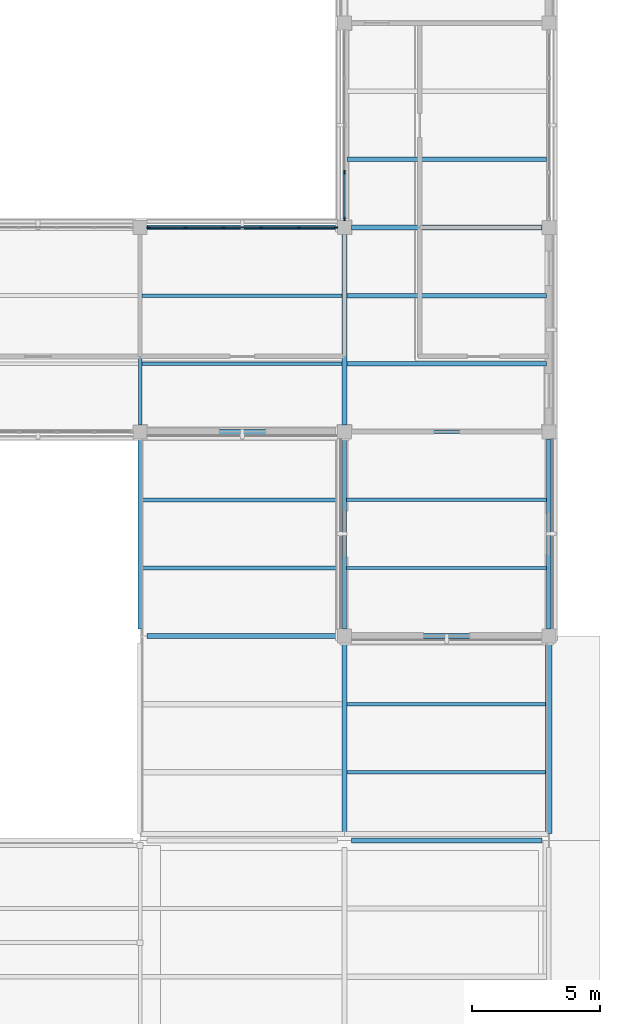
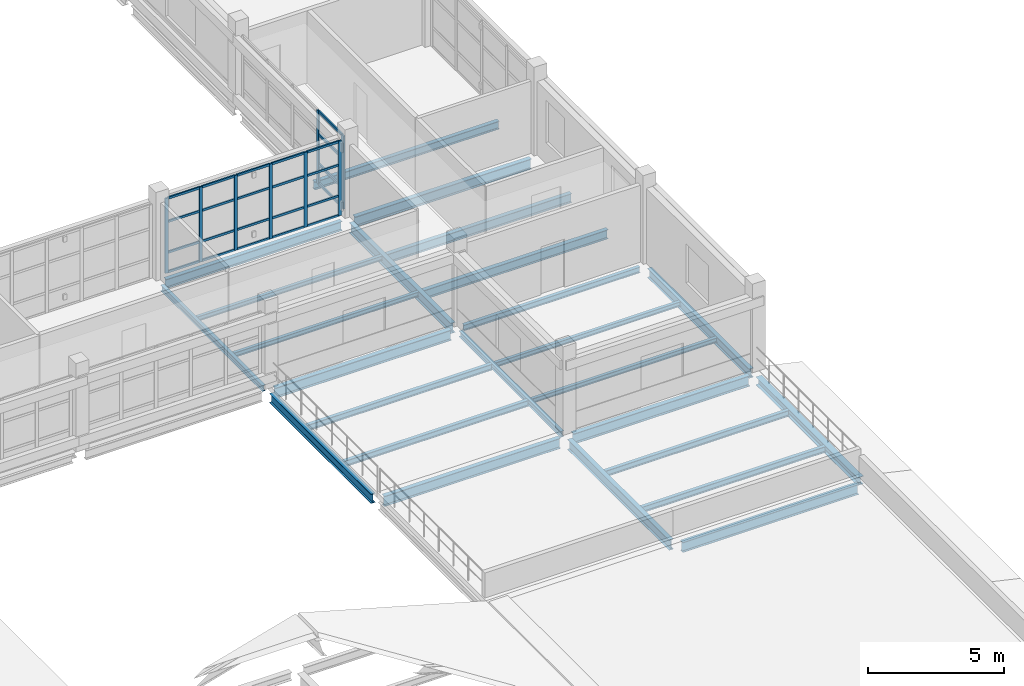
# One storey, part 40 of 92: 32 members, 25 beams, 2 elements without a shape of their own.
"""IFC4 building model written with IfcOpenShell, lengths in metres."""

from ifc_helpers import new_model, si_unit, derived_unit, direction, frame, origin, origin_2d, place, context, subcontext, project, spatial, rectangle, i_section, extrude, material, layer, layer_set, material_profile, profile_set, type_object, element, aggregate, save


model = new_model("IFC4")

# Units and contexts
model_context = context("Model", 3, precision=1e-05, world=origin(), true_north=direction((0.0, 1.0)))
body_context = subcontext(model_context, "Body", "Model", "MODEL_VIEW")
ifc_project = project(units=[si_unit("LENGTHUNIT", "METRE"), si_unit("AREAUNIT", "SQUARE_METRE"), si_unit("VOLUMEUNIT", "CUBIC_METRE"), si_unit("PLANEANGLEUNIT", "RADIAN"), si_unit("MASSUNIT", "GRAM", prefix="KILO"), derived_unit("THERMALTRANSMITTANCEUNIT", [(si_unit("MASSUNIT", "GRAM", prefix="KILO"), 1), (si_unit("TIMEUNIT", "SECOND"), -3), (si_unit("THERMODYNAMICTEMPERATUREUNIT", "KELVIN"), -1)])], contexts=[model_context])

# Site, building, storey
site_placement = place(None, origin())
site = spatial("IfcSite", under=ifc_project, at=site_placement, CompositionType="ELEMENT")
building_placement = place(site_placement, origin())
building = spatial("IfcBuilding", under=site, at=building_placement, Name="Veyamyaing Civic Hall", CompositionType="ELEMENT")
storey_placement = place(building_placement, frame((0.0, 0.0, 17.820068359375)))
storey = spatial("IfcBuildingStorey", under=building, at=storey_placement, Name="L04", CompositionType="ELEMENT", Elevation=17.820068359375)

# Beams
ifc_material_1 = material(Name="Steel ASTM A992", Category="steel")
ifc_material_profile_1 = material_profile(ifc_material_1, i_section(OverallWidth=0.19189453125, OverallDepth=0.462890625, WebThickness=0.010498046875, FlangeThickness=0.017578125, FilletRadius=0.010009765625, at=origin_2d()), Name="W460X89")
ifc_profile_set_1 = profile_set([ifc_material_profile_1], Name="Steel ASTM A992")
beam_type_1 = type_object("IfcBeamType", Name="B-08", PredefinedType="BEAM", material=ifc_profile_set_1)
for number, where, z_axis, x_axis, name in (
    (1, (168.27490234375, 56.0, -0.466552734375), (1.0, 0.0, 0.0), (0.0, 1.0, 0.0), "Girder B-08 L04 Grid H 22-23"),
    (2, (168.0, 48.27490234375, -0.466552734375), (0.0, 1.0, 0.0), (-1.0, 0.0, 0.0), "Girder B-08 L04 Grid 22 G-H"),
):
    element("IfcBeam", number, at=place(storey_placement, frame(where, z_axis=z_axis, x_axis=x_axis)), inside=storey, type_object=beam_type_1, Name=name, PredefinedType="BEAM", context=body_context, shape_type="SweptSolid", body=[
        extrude(i_section(OverallWidth=0.19189453125, OverallDepth=0.462890625, WebThickness=0.010498046875, FlangeThickness=0.017578125, FilletRadius=0.010009765625, at=origin_2d()), origin(), (0.0, 0.0, 1.0), 7.4501953125),
    ])
ifc_material_profile_2 = material_profile(ifc_material_1, i_section(OverallWidth=0.18994140625, OverallDepth=0.45703125, WebThickness=0.009033203125, FlangeThickness=0.014404296875, FilletRadius=0.010009765625, at=origin_2d()), Name="W460X74")
ifc_profile_set_2 = profile_set([ifc_material_profile_2], Name="Steel ASTM A992")
beam_type_2 = type_object("IfcBeamType", Name="B-09", PredefinedType="BEAM", material=ifc_profile_set_2)
for number, where, z_axis, x_axis, name in (
    (3, (168.27490234375, 32.0, -0.468505859375), (1.0, 0.0, 0.0), (0.0, 1.0, 0.0), "Girder B-09 L04 Grid E 22-23"),
    (4, (160.27490234375, 40.0, -0.45849609375), (1.0, 0.0, 0.0), (0.0, 1.0, 0.0), "Girder B-09 L04 Grid F 21-22"),
    (5, (168.0, 32.27490234375, -0.45849609375), (0.0, 1.0, 0.0), (-1.0, 0.0, 0.0), "Girder B-09 L04 Grid 22 E-F"),
):
    element("IfcBeam", number, at=place(storey_placement, frame(where, z_axis=z_axis, x_axis=x_axis)), inside=storey, type_object=beam_type_2, Name=name, PredefinedType="BEAM", context=body_context, shape_type="SweptSolid", body=[
        extrude(i_section(OverallWidth=0.18994140625, OverallDepth=0.45703125, WebThickness=0.009033203125, FlangeThickness=0.014404296875, FilletRadius=0.010009765625, at=origin_2d()), origin(), (0.0, 0.0, 1.0), 7.4501953125),
    ])
ifc_material_profile_3 = material_profile(ifc_material_1, i_section(OverallWidth=0.179931640625, OverallDepth=0.4130859375, WebThickness=0.009765625, FlangeThickness=0.01611328125, FilletRadius=0.010009765625, at=origin_2d()), Name="W410X74")
ifc_profile_set_3 = profile_set([ifc_material_profile_3], Name="Steel ASTM A992")
beam_type_3 = type_object("IfcBeamType", Name="B-10", PredefinedType="SPANDREL", material=ifc_profile_set_3)
for number, where, z_axis, x_axis, name in (
    (6, (160.27490234375, 56.0, -0.441650390625), (1.0, 0.0, 0.0), (0.0, 1.0, 0.0), "Girder B-10 L04 Grid H 21-22"),
    (7, (176.0, 40.27490234375, -0.441650390625), (0.0, 1.0, 0.0), (-1.0, 0.0, 0.0), "Girder B-10 L04 Grid 23 F-G"),
):
    element("IfcBeam", number, at=place(storey_placement, frame(where, z_axis=z_axis, x_axis=x_axis)), inside=storey, type_object=beam_type_3, Name=name, PredefinedType="SPANDREL", context=body_context, shape_type="SweptSolid", body=[
        extrude(i_section(OverallWidth=0.179931640625, OverallDepth=0.4130859375, WebThickness=0.009765625, FlangeThickness=0.01611328125, FilletRadius=0.010009765625, at=origin_2d()), origin(), (0.0, 0.0, 1.0), 7.4501953125),
    ])
ifc_material_profile_4 = material_profile(ifc_material_1, i_section(OverallWidth=0.14599609375, OverallDepth=0.258056640625, WebThickness=0.006103515625, FlangeThickness=0.009033203125, FilletRadius=0.010009765625, at=origin_2d()), Name="W250X33")
ifc_profile_set_4 = profile_set([ifc_material_profile_4], Name="Steel ASTM A992")
beam_type_4 = type_object("IfcBeamType", Name="B-12", PredefinedType="BEAM", material=ifc_profile_set_4)
for number, where, z_axis, x_axis, name in (
    (8, (168.27490234375, 48.0, -0.364013671875), (1.0, 0.0, 0.0), (0.0, 1.0, 0.0), "Girder B-12 L04 Grid G 22-23"),
    (9, (160.0, 48.27490234375, -0.364013671875), (0.0, 1.0, 0.0), (-1.0, 0.0, 0.0), "Girder B-12 L04 Grid 21 G-H"),
    (10, (168.0, 40.27490234375, -0.364013671875), (0.0, 1.0, 0.0), (-1.0, 0.0, 0.0), "Girder B-12 L04 Grid 22 F-G"),
):
    element("IfcBeam", number, at=place(storey_placement, frame(where, z_axis=z_axis, x_axis=x_axis)), inside=storey, type_object=beam_type_4, Name=name, PredefinedType="BEAM", context=body_context, shape_type="SweptSolid", body=[
        extrude(i_section(OverallWidth=0.14599609375, OverallDepth=0.258056640625, WebThickness=0.006103515625, FlangeThickness=0.009033203125, FilletRadius=0.010009765625, at=origin_2d()), origin(), (0.0, 0.0, 1.0), 7.4501953125),
    ])
ifc_material_profile_5 = material_profile(ifc_material_1, i_section(OverallWidth=0.194091796875, OverallDepth=0.468994140625, WebThickness=0.0126953125, FlangeThickness=0.0205078125, FilletRadius=0.010009765625, at=origin_2d()), Name="W460X106")
ifc_profile_set_5 = profile_set([ifc_material_profile_5], Name="Steel ASTM A992")
beam_type_5 = type_object("IfcBeamType", Name="B-18", PredefinedType="BEAM", material=ifc_profile_set_5)
for number, where, z_axis, x_axis, name in (
    (11, (168.27490234375, 40.0, -0.469482421875), (1.0, 0.0, 0.0), (0.0, 1.0, 0.0), "Girder B-18 L04 Grid F 22-23"),
    (12, (160.27490234375, 48.0, -0.469482421875), (1.0, 0.0, 0.0), (0.0, 1.0, 0.0), "Girder B-18 L04 Grid G 21-22"),
):
    element("IfcBeam", number, at=place(storey_placement, frame(where, z_axis=z_axis, x_axis=x_axis)), inside=storey, type_object=beam_type_5, Name=name, PredefinedType="BEAM", context=body_context, shape_type="SweptSolid", body=[
        extrude(i_section(OverallWidth=0.194091796875, OverallDepth=0.468994140625, WebThickness=0.0126953125, FlangeThickness=0.0205078125, FilletRadius=0.010009765625, at=origin_2d()), origin(), (0.0, 0.0, 1.0), 7.4501953125),
    ])
ifc_material_profile_6 = material_profile(ifc_material_1, i_section(OverallWidth=0.180908203125, OverallDepth=0.4169921875, WebThickness=0.010986328125, FlangeThickness=0.018310546875, FilletRadius=0.010009765625, at=origin_2d()), Name="W410X85")
ifc_profile_set_6 = profile_set([ifc_material_profile_6], Name="Steel ASTM A992")
beam_type_6 = type_object("IfcBeamType", Name="B-19", PredefinedType="SPANDREL", material=ifc_profile_set_6)
beam_1_placement = place(storey_placement, frame((160.0, 40.27490234375, -0.4384765625), z_axis=(0.0, 1.0, 0.0), x_axis=(-1.0, 0.0, 0.0)))
element("IfcBeam", 13, at=beam_1_placement, inside=storey, type_object=beam_type_6, Name="Girder B-19 L04 Grid 21 F-G", PredefinedType="SPANDREL", context=body_context, shape_type="SweptSolid", body=[
    extrude(i_section(OverallWidth=0.180908203125, OverallDepth=0.4169921875, WebThickness=0.010986328125, FlangeThickness=0.018310546875, FilletRadius=0.010009765625, at=origin_2d()), origin(), (0.0, 0.0, 1.0), 7.4501953125),
])
ifc_material_profile_7 = material_profile(ifc_material_1, i_section(OverallWidth=0.25390625, OverallDepth=0.35302734375, WebThickness=0.009521484375, FlangeThickness=0.016357421875, FilletRadius=0.011962890625, at=origin_2d()), Name="W360X91")
ifc_profile_set_7 = profile_set([ifc_material_profile_7], Name="Steel ASTM A992")
beam_type_7 = type_object("IfcBeamType", Name="B-20", PredefinedType="SPANDREL", material=ifc_profile_set_7)
beam_2_placement = place(storey_placement, frame((176.0, 32.27490234375, -0.406494140625), z_axis=(0.0, 1.0, 0.0), x_axis=(-1.0, 0.0, 0.0)))
element("IfcBeam", 14, at=beam_2_placement, inside=storey, type_object=beam_type_7, Name="Girder B-20 L04 Grid 23 E-F", PredefinedType="SPANDREL", context=body_context, shape_type="SweptSolid", body=[
    extrude(i_section(OverallWidth=0.25390625, OverallDepth=0.35302734375, WebThickness=0.009521484375, FlangeThickness=0.016357421875, FilletRadius=0.011962890625, at=origin_2d()), origin(), (0.0, 0.0, 1.0), 7.4501953125),
])

# Curtain wall, members
ifc_material_2 = material(Name="Anodised aluminium 6063-T6", Category="aluminium")
ifc_layer_1 = layer(ifc_material_2, 0.159912109375, Name="Anodised aluminium 6063-T6")
ifc_layer_set_1 = layer_set([ifc_layer_1], Name="Anodised aluminium 6063-T6")
curtain_wall_type_1 = type_object("IfcCurtainWallType", Name="CW-08", PredefinedType="NOTDEFINED", material=ifc_layer_set_1)
curtain_wall_1_placement = place(storey_placement, origin())
curtain_wall_1 = element("IfcCurtainWall", 15, at=curtain_wall_1_placement, inside=storey, type_object=curtain_wall_type_1, Name="Unitized curtain wall CW-08 L04 W 22.8", PredefinedType="NOTDEFINED")
ifc_material_profile_8 = material_profile(ifc_material_2, rectangle(XDim=0.06494140625, YDim=0.159912109375, at=origin_2d()), Name="ALU-MUL-65X160")
ifc_profile_set_8 = profile_set([ifc_material_profile_8], Name="Anodised aluminium 6063-T6")
member_type_1 = type_object("IfcMemberType", Name="CWM-01", PredefinedType="MULLION", material=ifc_profile_set_8)
member_1_placement = place(storey_placement, frame((168.0, 56.33740234375, 0.0), z_axis=(0.0, 0.0, 1.0), x_axis=(-1.0, 0.0, 0.0)))
member_1 = element("IfcMember", 16, at=member_1_placement, type_object=member_type_1, Name="CW-08 mullion 1", PredefinedType="MULLION", context=body_context, shape_type="SweptSolid", body=[
    extrude(rectangle(XDim=0.06494140625, YDim=0.159912109375, at=origin_2d()), origin(), (0.0, 0.0, 1.0), 3.284912109375),
])
member_2_placement = place(storey_placement, frame((168.0, 58.152587890625, 0.0), z_axis=(0.0, 0.0, 1.0), x_axis=(-1.0, 0.0, 0.0)))
member_2 = element("IfcMember", 17, at=member_2_placement, type_object=member_type_1, Name="CW-08 mullion 2", PredefinedType="MULLION", context=body_context, shape_type="SweptSolid", body=[
    extrude(rectangle(XDim=0.06494140625, YDim=0.159912109375, at=origin_2d()), origin(), (0.0, 0.0, 1.0), 3.284912109375),
])

ifc_layer_2 = layer(ifc_material_2, 0.139892578125, Name="Anodised aluminium 6063-T6")
ifc_layer_set_2 = layer_set([ifc_layer_2], Name="Anodised aluminium 6063-T6")
curtain_wall_type_2 = type_object("IfcCurtainWallType", Name="CW-04", PredefinedType="NOTDEFINED", material=ifc_layer_set_2)
curtain_wall_2_placement = place(storey_placement, origin())
curtain_wall_2 = element("IfcCurtainWall", 18, at=curtain_wall_2_placement, inside=storey, type_object=curtain_wall_type_2, Name="Unitized curtain wall CW-04 L04 N 21.7", PredefinedType="NOTDEFINED")
ifc_material_profile_9 = material_profile(ifc_material_2, rectangle(XDim=0.06005859375, YDim=0.139892578125, at=origin_2d()), Name="ALU-MUL-60X140")
ifc_profile_set_9 = profile_set([ifc_material_profile_9], Name="Anodised aluminium 6063-T6")
member_type_2 = type_object("IfcMemberType", Name="CWM-03", PredefinedType="MULLION", material=ifc_profile_set_9)
member_3_placement = place(storey_placement, frame((160.3349609375, 56.0, 0.0), z_axis=(0.0, 0.0, 1.0), x_axis=(0.0, 1.0, 0.0)))
member_3 = element("IfcMember", 19, at=member_3_placement, type_object=member_type_2, Name="CW-04 mullion 1", PredefinedType="MULLION", context=body_context, shape_type="SweptSolid", body=[
    extrude(rectangle(XDim=0.06005859375, YDim=0.139892578125, at=origin_2d()), origin(), (0.0, 0.0, 1.0), 3.35205078125),
])
member_4_placement = place(storey_placement, frame((161.782958984375, 56.0, 0.0), z_axis=(0.0, 0.0, 1.0), x_axis=(0.0, 1.0, 0.0)))
member_4 = element("IfcMember", 20, at=member_4_placement, type_object=member_type_2, Name="CW-04 mullion 2", PredefinedType="MULLION", context=body_context, shape_type="SweptSolid", body=[
    extrude(rectangle(XDim=0.06005859375, YDim=0.139892578125, at=origin_2d()), origin(), (0.0, 0.0, 1.0), 3.35205078125),
])
member_5_placement = place(storey_placement, frame((163.260986328125, 56.0, 0.0), z_axis=(0.0, 0.0, 1.0), x_axis=(0.0, 1.0, 0.0)))
member_5 = element("IfcMember", 21, at=member_5_placement, type_object=member_type_2, Name="CW-04 mullion 3", PredefinedType="MULLION", context=body_context, shape_type="SweptSolid", body=[
    extrude(rectangle(XDim=0.06005859375, YDim=0.139892578125, at=origin_2d()), origin(), (0.0, 0.0, 1.0), 3.35205078125),
])
member_6_placement = place(storey_placement, frame((164.739013671875, 56.0, 0.0), z_axis=(0.0, 0.0, 1.0), x_axis=(0.0, 1.0, 0.0)))
member_6 = element("IfcMember", 22, at=member_6_placement, type_object=member_type_2, Name="CW-04 mullion 4", PredefinedType="MULLION", context=body_context, shape_type="SweptSolid", body=[
    extrude(rectangle(XDim=0.06005859375, YDim=0.139892578125, at=origin_2d()), origin(), (0.0, 0.0, 1.0), 3.35205078125),
])
member_7_placement = place(storey_placement, frame((166.217041015625, 56.0, 0.0), z_axis=(0.0, 0.0, 1.0), x_axis=(0.0, 1.0, 0.0)))
member_7 = element("IfcMember", 23, at=member_7_placement, type_object=member_type_2, Name="CW-04 mullion 5", PredefinedType="MULLION", context=body_context, shape_type="SweptSolid", body=[
    extrude(rectangle(XDim=0.06005859375, YDim=0.139892578125, at=origin_2d()), origin(), (0.0, 0.0, 1.0), 3.35205078125),
])
member_8_placement = place(storey_placement, frame((167.6650390625, 56.0, 0.0), z_axis=(0.0, 0.0, 1.0), x_axis=(0.0, 1.0, 0.0)))
member_8 = element("IfcMember", 24, at=member_8_placement, type_object=member_type_2, Name="CW-04 mullion 6", PredefinedType="MULLION", context=body_context, shape_type="SweptSolid", body=[
    extrude(rectangle(XDim=0.06005859375, YDim=0.139892578125, at=origin_2d()), origin(), (0.0, 0.0, 1.0), 3.35205078125),
])

# Member
ifc_material_profile_10 = material_profile(ifc_material_2, rectangle(XDim=0.06494140625, YDim=0.1201171875, at=origin_2d()), Name="ALU-TRN-65X120")
ifc_profile_set_10 = profile_set([ifc_material_profile_10], Name="Anodised aluminium 6063-T6")
member_type_3 = type_object("IfcMemberType", Name="CWT-01", PredefinedType="USERDEFINED", material=ifc_profile_set_10)
member_9_placement = place(storey_placement, frame((168.0, 56.3701171875, 0.032470703125), z_axis=(0.0, 1.0, 0.0), x_axis=(-1.0, 0.0, 0.0)))
member_9 = element("IfcMember", 25, at=member_9_placement, type_object=member_type_3, Name="CW-08 transom 1.1", ObjectType="TRANSOM", PredefinedType="USERDEFINED", context=body_context, shape_type="SweptSolid", body=[
    extrude(rectangle(XDim=0.06494140625, YDim=0.1201171875, at=origin_2d()), origin(), (0.0, 0.0, 1.0), 1.75),
])

member_10_placement = place(storey_placement, frame((168.0, 56.3701171875, 0.89990234375), z_axis=(0.0, 1.0, 0.0), x_axis=(-1.0, 0.0, 0.0)))
member_10 = element("IfcMember", 26, at=member_10_placement, type_object=member_type_3, Name="CW-08 transom 1.2", ObjectType="TRANSOM", PredefinedType="USERDEFINED", context=body_context, shape_type="SweptSolid", body=[
    extrude(rectangle(XDim=0.06494140625, YDim=0.1201171875, at=origin_2d()), origin(), (0.0, 0.0, 1.0), 1.75),
])

member_11_placement = place(storey_placement, frame((168.0, 56.3701171875, 2.233642578125), z_axis=(0.0, 1.0, 0.0), x_axis=(-1.0, 0.0, 0.0)))
member_11 = element("IfcMember", 27, at=member_11_placement, type_object=member_type_3, Name="CW-08 transom 1.3", ObjectType="TRANSOM", PredefinedType="USERDEFINED", context=body_context, shape_type="SweptSolid", body=[
    extrude(rectangle(XDim=0.06494140625, YDim=0.1201171875, at=origin_2d()), origin(), (0.0, 0.0, 1.0), 1.75),
])

member_12_placement = place(storey_placement, frame((168.0, 56.3701171875, 3.25244140625), z_axis=(0.0, 1.0, 0.0), x_axis=(-1.0, 0.0, 0.0)))
member_12 = element("IfcMember", 28, at=member_12_placement, type_object=member_type_3, Name="CW-08 transom 1.4", ObjectType="TRANSOM", PredefinedType="USERDEFINED", context=body_context, shape_type="SweptSolid", body=[
    extrude(rectangle(XDim=0.06494140625, YDim=0.1201171875, at=origin_2d()), origin(), (0.0, 0.0, 1.0), 1.75),
])

aggregate(curtain_wall_1, [member_1, member_2, member_9, member_10, member_11, member_12])

ifc_material_profile_11 = material_profile(ifc_material_2, rectangle(XDim=0.06005859375, YDim=0.10009765625, at=origin_2d()), Name="ALU-TRN-60X100")
ifc_profile_set_11 = profile_set([ifc_material_profile_11], Name="Anodised aluminium 6063-T6")
member_type_4 = type_object("IfcMemberType", Name="CWT-03", PredefinedType="USERDEFINED", material=ifc_profile_set_11)
member_13_placement = place(storey_placement, frame((160.364990234375, 56.0, 0.030029296875), z_axis=(1.0, 0.0, 0.0), x_axis=(0.0, 1.0, 0.0)))
member_13 = element("IfcMember", 29, at=member_13_placement, type_object=member_type_4, Name="CW-04 transom 1.1", ObjectType="TRANSOM", PredefinedType="USERDEFINED", context=body_context, shape_type="SweptSolid", body=[
    extrude(rectangle(XDim=0.06005859375, YDim=0.10009765625, at=origin_2d()), origin(), (0.0, 0.0, 1.0), 1.387939453125),
])

member_14_placement = place(storey_placement, frame((160.364990234375, 56.0, 0.89990234375), z_axis=(1.0, 0.0, 0.0), x_axis=(0.0, 1.0, 0.0)))
member_14 = element("IfcMember", 30, at=member_14_placement, type_object=member_type_4, Name="CW-04 transom 1.2", ObjectType="TRANSOM", PredefinedType="USERDEFINED", context=body_context, shape_type="SweptSolid", body=[
    extrude(rectangle(XDim=0.06005859375, YDim=0.10009765625, at=origin_2d()), origin(), (0.0, 0.0, 1.0), 1.387939453125),
])

member_15_placement = place(storey_placement, frame((160.364990234375, 56.0, 2.279296875), z_axis=(1.0, 0.0, 0.0), x_axis=(0.0, 1.0, 0.0)))
member_15 = element("IfcMember", 31, at=member_15_placement, type_object=member_type_4, Name="CW-04 transom 1.3", ObjectType="TRANSOM", PredefinedType="USERDEFINED", context=body_context, shape_type="SweptSolid", body=[
    extrude(rectangle(XDim=0.06005859375, YDim=0.10009765625, at=origin_2d()), origin(), (0.0, 0.0, 1.0), 1.387939453125),
])

member_16_placement = place(storey_placement, frame((160.364990234375, 56.0, 3.322021484375), z_axis=(1.0, 0.0, 0.0), x_axis=(0.0, 1.0, 0.0)))
member_16 = element("IfcMember", 32, at=member_16_placement, type_object=member_type_4, Name="CW-04 transom 1.4", ObjectType="TRANSOM", PredefinedType="USERDEFINED", context=body_context, shape_type="SweptSolid", body=[
    extrude(rectangle(XDim=0.06005859375, YDim=0.10009765625, at=origin_2d()), origin(), (0.0, 0.0, 1.0), 1.387939453125),
])

member_17_placement = place(storey_placement, frame((161.81298828125, 56.0, 0.030029296875), z_axis=(1.0, 0.0, 0.0), x_axis=(0.0, 1.0, 0.0)))
member_17 = element("IfcMember", 33, at=member_17_placement, type_object=member_type_4, Name="CW-04 transom 2.1", ObjectType="TRANSOM", PredefinedType="USERDEFINED", context=body_context, shape_type="SweptSolid", body=[
    extrude(rectangle(XDim=0.06005859375, YDim=0.10009765625, at=origin_2d()), origin(), (0.0, 0.0, 1.0), 1.41796875),
])

member_18_placement = place(storey_placement, frame((161.81298828125, 56.0, 0.89990234375), z_axis=(1.0, 0.0, 0.0), x_axis=(0.0, 1.0, 0.0)))
member_18 = element("IfcMember", 34, at=member_18_placement, type_object=member_type_4, Name="CW-04 transom 2.2", ObjectType="TRANSOM", PredefinedType="USERDEFINED", context=body_context, shape_type="SweptSolid", body=[
    extrude(rectangle(XDim=0.06005859375, YDim=0.10009765625, at=origin_2d()), origin(), (0.0, 0.0, 1.0), 1.41796875),
])

member_19_placement = place(storey_placement, frame((161.81298828125, 56.0, 2.279296875), z_axis=(1.0, 0.0, 0.0), x_axis=(0.0, 1.0, 0.0)))
member_19 = element("IfcMember", 35, at=member_19_placement, type_object=member_type_4, Name="CW-04 transom 2.3", ObjectType="TRANSOM", PredefinedType="USERDEFINED", context=body_context, shape_type="SweptSolid", body=[
    extrude(rectangle(XDim=0.06005859375, YDim=0.10009765625, at=origin_2d()), origin(), (0.0, 0.0, 1.0), 1.41796875),
])

member_20_placement = place(storey_placement, frame((161.81298828125, 56.0, 3.322021484375), z_axis=(1.0, 0.0, 0.0), x_axis=(0.0, 1.0, 0.0)))
member_20 = element("IfcMember", 36, at=member_20_placement, type_object=member_type_4, Name="CW-04 transom 2.4", ObjectType="TRANSOM", PredefinedType="USERDEFINED", context=body_context, shape_type="SweptSolid", body=[
    extrude(rectangle(XDim=0.06005859375, YDim=0.10009765625, at=origin_2d()), origin(), (0.0, 0.0, 1.0), 1.41796875),
])

member_21_placement = place(storey_placement, frame((163.291015625, 56.0, 0.030029296875), z_axis=(1.0, 0.0, 0.0), x_axis=(0.0, 1.0, 0.0)))
member_21 = element("IfcMember", 37, at=member_21_placement, type_object=member_type_4, Name="CW-04 transom 3.1", ObjectType="TRANSOM", PredefinedType="USERDEFINED", context=body_context, shape_type="SweptSolid", body=[
    extrude(rectangle(XDim=0.06005859375, YDim=0.10009765625, at=origin_2d()), origin(), (0.0, 0.0, 1.0), 1.41796875),
])

member_22_placement = place(storey_placement, frame((163.291015625, 56.0, 0.89990234375), z_axis=(1.0, 0.0, 0.0), x_axis=(0.0, 1.0, 0.0)))
member_22 = element("IfcMember", 38, at=member_22_placement, type_object=member_type_4, Name="CW-04 transom 3.2", ObjectType="TRANSOM", PredefinedType="USERDEFINED", context=body_context, shape_type="SweptSolid", body=[
    extrude(rectangle(XDim=0.06005859375, YDim=0.10009765625, at=origin_2d()), origin(), (0.0, 0.0, 1.0), 1.41796875),
])

member_23_placement = place(storey_placement, frame((163.291015625, 56.0, 2.279296875), z_axis=(1.0, 0.0, 0.0), x_axis=(0.0, 1.0, 0.0)))
member_23 = element("IfcMember", 39, at=member_23_placement, type_object=member_type_4, Name="CW-04 transom 3.3", ObjectType="TRANSOM", PredefinedType="USERDEFINED", context=body_context, shape_type="SweptSolid", body=[
    extrude(rectangle(XDim=0.06005859375, YDim=0.10009765625, at=origin_2d()), origin(), (0.0, 0.0, 1.0), 1.41796875),
])

member_24_placement = place(storey_placement, frame((163.291015625, 56.0, 3.322021484375), z_axis=(1.0, 0.0, 0.0), x_axis=(0.0, 1.0, 0.0)))
member_24 = element("IfcMember", 40, at=member_24_placement, type_object=member_type_4, Name="CW-04 transom 3.4", ObjectType="TRANSOM", PredefinedType="USERDEFINED", context=body_context, shape_type="SweptSolid", body=[
    extrude(rectangle(XDim=0.06005859375, YDim=0.10009765625, at=origin_2d()), origin(), (0.0, 0.0, 1.0), 1.41796875),
])

member_25_placement = place(storey_placement, frame((164.76904296875, 56.0, 0.030029296875), z_axis=(1.0, 0.0, 0.0), x_axis=(0.0, 1.0, 0.0)))
member_25 = element("IfcMember", 41, at=member_25_placement, type_object=member_type_4, Name="CW-04 transom 4.1", ObjectType="TRANSOM", PredefinedType="USERDEFINED", context=body_context, shape_type="SweptSolid", body=[
    extrude(rectangle(XDim=0.06005859375, YDim=0.10009765625, at=origin_2d()), origin(), (0.0, 0.0, 1.0), 1.41796875),
])

member_26_placement = place(storey_placement, frame((164.76904296875, 56.0, 0.89990234375), z_axis=(1.0, 0.0, 0.0), x_axis=(0.0, 1.0, 0.0)))
member_26 = element("IfcMember", 42, at=member_26_placement, type_object=member_type_4, Name="CW-04 transom 4.2", ObjectType="TRANSOM", PredefinedType="USERDEFINED", context=body_context, shape_type="SweptSolid", body=[
    extrude(rectangle(XDim=0.06005859375, YDim=0.10009765625, at=origin_2d()), origin(), (0.0, 0.0, 1.0), 1.41796875),
])

member_27_placement = place(storey_placement, frame((164.76904296875, 56.0, 2.279296875), z_axis=(1.0, 0.0, 0.0), x_axis=(0.0, 1.0, 0.0)))
member_27 = element("IfcMember", 43, at=member_27_placement, type_object=member_type_4, Name="CW-04 transom 4.3", ObjectType="TRANSOM", PredefinedType="USERDEFINED", context=body_context, shape_type="SweptSolid", body=[
    extrude(rectangle(XDim=0.06005859375, YDim=0.10009765625, at=origin_2d()), origin(), (0.0, 0.0, 1.0), 1.41796875),
])

member_28_placement = place(storey_placement, frame((164.76904296875, 56.0, 3.322021484375), z_axis=(1.0, 0.0, 0.0), x_axis=(0.0, 1.0, 0.0)))
member_28 = element("IfcMember", 44, at=member_28_placement, type_object=member_type_4, Name="CW-04 transom 4.4", ObjectType="TRANSOM", PredefinedType="USERDEFINED", context=body_context, shape_type="SweptSolid", body=[
    extrude(rectangle(XDim=0.06005859375, YDim=0.10009765625, at=origin_2d()), origin(), (0.0, 0.0, 1.0), 1.41796875),
])

member_29_placement = place(storey_placement, frame((166.2470703125, 56.0, 0.030029296875), z_axis=(1.0, 0.0, 0.0), x_axis=(0.0, 1.0, 0.0)))
member_29 = element("IfcMember", 45, at=member_29_placement, type_object=member_type_4, Name="CW-04 transom 5.1", ObjectType="TRANSOM", PredefinedType="USERDEFINED", context=body_context, shape_type="SweptSolid", body=[
    extrude(rectangle(XDim=0.06005859375, YDim=0.10009765625, at=origin_2d()), origin(), (0.0, 0.0, 1.0), 1.387939453125),
])

member_30_placement = place(storey_placement, frame((166.2470703125, 56.0, 0.89990234375), z_axis=(1.0, 0.0, 0.0), x_axis=(0.0, 1.0, 0.0)))
member_30 = element("IfcMember", 46, at=member_30_placement, type_object=member_type_4, Name="CW-04 transom 5.2", ObjectType="TRANSOM", PredefinedType="USERDEFINED", context=body_context, shape_type="SweptSolid", body=[
    extrude(rectangle(XDim=0.06005859375, YDim=0.10009765625, at=origin_2d()), origin(), (0.0, 0.0, 1.0), 1.387939453125),
])

member_31_placement = place(storey_placement, frame((166.2470703125, 56.0, 2.279296875), z_axis=(1.0, 0.0, 0.0), x_axis=(0.0, 1.0, 0.0)))
member_31 = element("IfcMember", 47, at=member_31_placement, type_object=member_type_4, Name="CW-04 transom 5.3", ObjectType="TRANSOM", PredefinedType="USERDEFINED", context=body_context, shape_type="SweptSolid", body=[
    extrude(rectangle(XDim=0.06005859375, YDim=0.10009765625, at=origin_2d()), origin(), (0.0, 0.0, 1.0), 1.387939453125),
])

member_32_placement = place(storey_placement, frame((166.2470703125, 56.0, 3.322021484375), z_axis=(1.0, 0.0, 0.0), x_axis=(0.0, 1.0, 0.0)))
member_32 = element("IfcMember", 48, at=member_32_placement, type_object=member_type_4, Name="CW-04 transom 5.4", ObjectType="TRANSOM", PredefinedType="USERDEFINED", context=body_context, shape_type="SweptSolid", body=[
    extrude(rectangle(XDim=0.06005859375, YDim=0.10009765625, at=origin_2d()), origin(), (0.0, 0.0, 1.0), 1.387939453125),
])

aggregate(curtain_wall_2, [member_3, member_4, member_5, member_6, member_7, member_8, member_13, member_14, member_15, member_16, member_17, member_18, member_19, member_20, member_21, member_22, member_23, member_24, member_25, member_26, member_27, member_28, member_29, member_30, member_31, member_32])

# Beams
ifc_material_profile_12 = material_profile(ifc_material_1, i_section(OverallWidth=0.177978515625, OverallDepth=0.406982421875, WebThickness=0.0078125, FlangeThickness=0.0126953125, FilletRadius=0.010009765625, at=origin_2d()), Name="W410X60")
ifc_profile_set_12 = profile_set([ifc_material_profile_12], Name="Steel ASTM A992")
beam_type_8 = type_object("IfcBeamType", Name="J-01", PredefinedType="JOIST", material=ifc_profile_set_12)
for number, where, z_axis, x_axis, name in (
    (49, (168.093994140625, 50.666748046875, -0.4384765625), (1.0, 0.0, 0.0), (0.0, 1.0, 0.0), "Composite floor joist J-01 L04 22.7.1"),
    (50, (168.093994140625, 53.333251953125, -0.4384765625), (1.0, 0.0, 0.0), (0.0, 1.0, 0.0), "Composite floor joist J-01 L04 22.7.2"),
):
    element("IfcBeam", number, at=place(storey_placement, frame(where, z_axis=z_axis, x_axis=x_axis)), inside=storey, type_object=beam_type_8, Name=name, PredefinedType="JOIST", context=body_context, shape_type="SweptSolid", body=[
        extrude(i_section(OverallWidth=0.177978515625, OverallDepth=0.406982421875, WebThickness=0.0078125, FlangeThickness=0.0126953125, FilletRadius=0.010009765625, at=origin_2d()), origin(), (0.0, 0.0, 1.0), 7.805908203125),
    ])
ifc_material_profile_13 = material_profile(ifc_material_1, i_section(OverallWidth=0.172119140625, OverallDepth=0.35791015625, WebThickness=0.0078125, FlangeThickness=0.01318359375, FilletRadius=0.010009765625, at=origin_2d()), Name="W360X57")
ifc_profile_set_13 = profile_set([ifc_material_profile_13], Name="Steel ASTM A992")
beam_type_9 = type_object("IfcBeamType", Name="J-02", PredefinedType="JOIST", material=ifc_profile_set_13)
beam_3_placement = place(storey_placement, frame((168.10009765625, 58.666748046875, -0.4140625), z_axis=(1.0, 0.0, 0.0), x_axis=(0.0, 1.0, 0.0)))
element("IfcBeam", 51, at=beam_3_placement, inside=storey, type_object=beam_type_9, Name="Composite floor joist J-02 L04 22.8.1", PredefinedType="JOIST", context=body_context, shape_type="SweptSolid", body=[
    extrude(i_section(OverallWidth=0.172119140625, OverallDepth=0.35791015625, WebThickness=0.0078125, FlangeThickness=0.01318359375, FilletRadius=0.010009765625, at=origin_2d()), origin(), (0.0, 0.0, 1.0), 7.8115234375),
])
ifc_material_profile_14 = material_profile(ifc_material_1, i_section(OverallWidth=0.14794921875, OverallDepth=0.26611328125, WebThickness=0.007568359375, FlangeThickness=0.012939453125, FilletRadius=0.010009765625, at=origin_2d()), Name="W250X45")
ifc_profile_set_14 = profile_set([ifc_material_profile_14], Name="Steel ASTM A992")
beam_type_10 = type_object("IfcBeamType", Name="J-07", PredefinedType="JOIST", material=ifc_profile_set_14)
for number, where, z_axis, x_axis, name in (
    (52, (160.08837890625, 42.666748046875, -0.3681640625), (1.0, 0.0, 0.0), (0.0, 1.0, 0.0), "Composite floor joist J-07 L04 21.6.1"),
    (53, (160.08837890625, 45.333251953125, -0.3681640625), (1.0, 0.0, 0.0), (0.0, 1.0, 0.0), "Composite floor joist J-07 L04 21.6.2"),
):
    element("IfcBeam", number, at=place(storey_placement, frame(where, z_axis=z_axis, x_axis=x_axis)), inside=storey, type_object=beam_type_10, Name=name, PredefinedType="JOIST", context=body_context, shape_type="SweptSolid", body=[
        extrude(i_section(OverallWidth=0.14794921875, OverallDepth=0.26611328125, WebThickness=0.007568359375, FlangeThickness=0.012939453125, FilletRadius=0.010009765625, at=origin_2d()), origin(), (0.0, 0.0, 1.0), 7.840576171875),
    ])
for number, where, z_axis, x_axis, name in (
    (54, (168.093017578125, 34.666748046875, -0.363037109375), (1.0, 0.0, 0.0), (0.0, 1.0, 0.0), "Composite floor joist J-07 L04 22.5.1"),
    (55, (168.093017578125, 37.333251953125, -0.363037109375), (1.0, 0.0, 0.0), (0.0, 1.0, 0.0), "Composite floor joist J-07 L04 22.5.2"),
):
    element("IfcBeam", number, at=place(storey_placement, frame(where, z_axis=z_axis, x_axis=x_axis)), inside=storey, type_object=beam_type_10, Name=name, PredefinedType="JOIST", context=body_context, shape_type="SweptSolid", body=[
        extrude(i_section(OverallWidth=0.14794921875, OverallDepth=0.26611328125, WebThickness=0.007568359375, FlangeThickness=0.012939453125, FilletRadius=0.010009765625, at=origin_2d()), origin(), (0.0, 0.0, 1.0), 7.781982421875),
    ])
ifc_material_profile_15 = material_profile(ifc_material_1, i_section(OverallWidth=0.133056640625, OverallDepth=0.20703125, WebThickness=0.005859375, FlangeThickness=0.00830078125, FilletRadius=0.010009765625, at=origin_2d()), Name="W200X27")
ifc_profile_set_15 = profile_set([ifc_material_profile_15], Name="Steel ASTM A992")
beam_type_11 = type_object("IfcBeamType", Name="J-08", PredefinedType="JOIST", material=ifc_profile_set_15)
for number, where, z_axis, x_axis, name in (
    (56, (160.071044921875, 50.666748046875, -0.338623046875), (1.0, 0.0, 0.0), (0.0, 1.0, 0.0), "Composite floor joist J-08 L04 21.7.1"),
    (57, (160.071044921875, 53.333251953125, -0.338623046875), (1.0, 0.0, 0.0), (0.0, 1.0, 0.0), "Composite floor joist J-08 L04 21.7.2"),
):
    element("IfcBeam", number, at=place(storey_placement, frame(where, z_axis=z_axis, x_axis=x_axis)), inside=storey, type_object=beam_type_11, Name=name, PredefinedType="JOIST", context=body_context, shape_type="SweptSolid", body=[
        extrude(i_section(OverallWidth=0.133056640625, OverallDepth=0.20703125, WebThickness=0.005859375, FlangeThickness=0.00830078125, FilletRadius=0.010009765625, at=origin_2d()), origin(), (0.0, 0.0, 1.0), 7.8349609375),
    ])
for number, where, z_axis, x_axis, name in (
    (58, (168.071044921875, 42.666748046875, -0.338623046875), (1.0, 0.0, 0.0), (0.0, 1.0, 0.0), "Composite floor joist J-08 L04 22.6.1"),
    (59, (168.071044921875, 45.333251953125, -0.338623046875), (1.0, 0.0, 0.0), (0.0, 1.0, 0.0), "Composite floor joist J-08 L04 22.6.2"),
):
    element("IfcBeam", number, at=place(storey_placement, frame(where, z_axis=z_axis, x_axis=x_axis)), inside=storey, type_object=beam_type_11, Name=name, PredefinedType="JOIST", context=body_context, shape_type="SweptSolid", body=[
        extrude(i_section(OverallWidth=0.133056640625, OverallDepth=0.20703125, WebThickness=0.005859375, FlangeThickness=0.00830078125, FilletRadius=0.010009765625, at=origin_2d()), origin(), (0.0, 0.0, 1.0), 7.841064453125),
    ])

save(model, "model.ifc")
